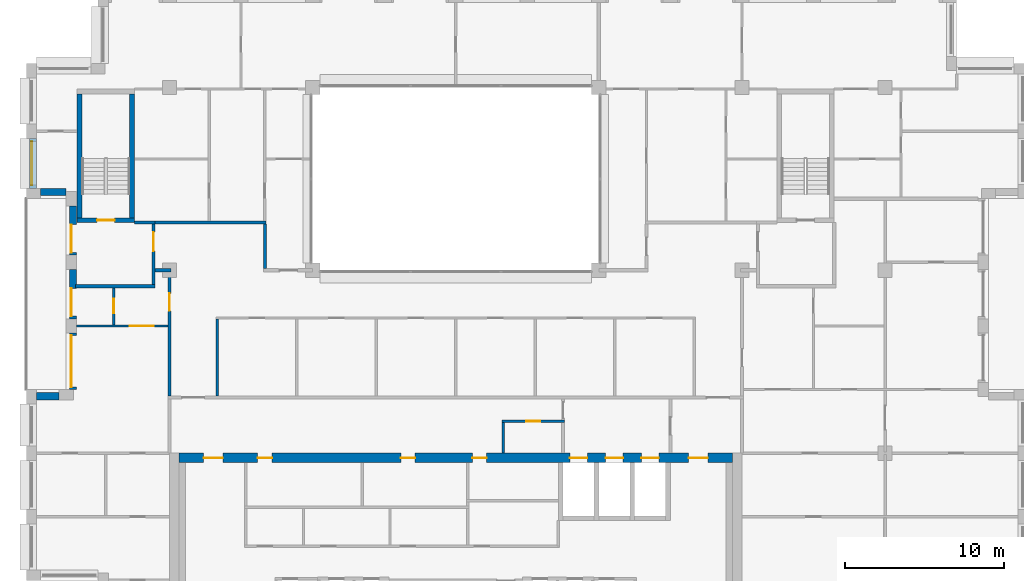
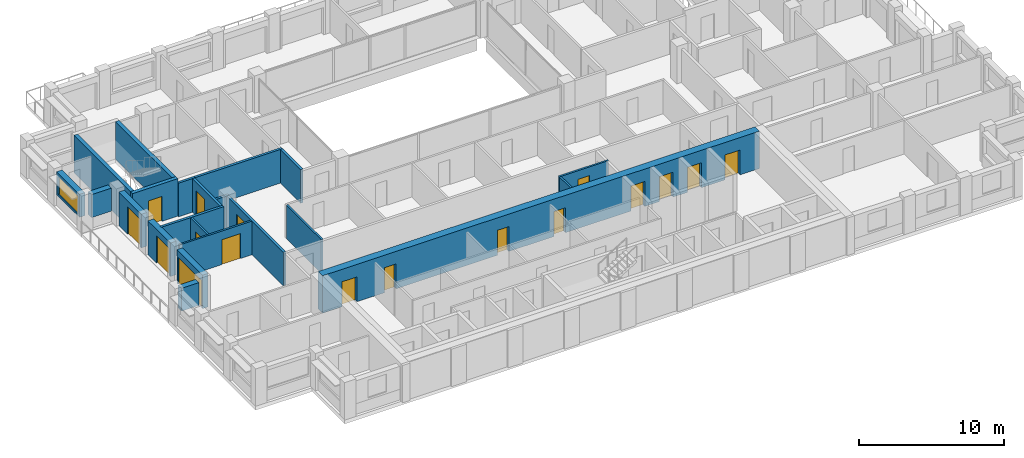
# One storey, part 9 of 15: 22 walls, 17 doors, 1 window, 18 openings.
"""IFC4 building model written with IfcOpenShell, lengths in metres."""

import ifcopenshell
import ifcopenshell.guid

model = None  # the IFC model being written
_history = None  # IfcOwnerHistory: only IFC2X3 demands one
_inside = {}  # id of a spatial element -> (the spatial element, [elements in it])
_under = {}  # id of a project, library or spatial element -> (it, [spatial elements below it])
_declared = {}  # id of a project -> (the project, [libraries it declares])
_typed = {}  # id of a type object -> (the type object, [elements of that type])
_made_of = {}  # id of a material, layer set ... -> (it, [elements and type objects made of it])


def new_model(schema):
    """Start an empty IFC model of exactly this schema.

    Asked for "IFC4X3", IfcOpenShell would pick the latest addendum, in which some entities
    have other attributes; the version numbers below select the first issue.
    IFC2X3 requires an IfcOwnerHistory on every rooted entity: one is made here for all.
    """
    global model, _history
    if schema == "IFC4X3":
        model = ifcopenshell.file(schema_version=(4, 3, 0, 0))
    else:
        model = ifcopenshell.file(schema=schema)
    _inside.clear()
    _under.clear()
    _declared.clear()
    _typed.clear()
    _made_of.clear()
    _history = None
    if model.schema == "IFC2X3":
        org = make("IfcOrganization", Name="unknown")
        user = make(
            "IfcPersonAndOrganization",
            ThePerson=make("IfcPerson", FamilyName="unknown"),
            TheOrganization=org,
        )
        app = make(
            "IfcApplication",
            ApplicationDeveloper=org,
            Version="unknown",
            ApplicationFullName="unknown",
            ApplicationIdentifier="unknown",
        )
        _history = make(
            "IfcOwnerHistory",
            OwningUser=user,
            OwningApplication=app,
            ChangeAction="ADDED",
            CreationDate=0,
        )
    return model


def make(cls, **values):
    """One entity of the class cls with the attributes given. An attribute that is None is left unset."""
    return model.create_entity(
        cls, **{name: value for name, value in values.items() if value is not None}
    )


def rooted(cls, **values):
    """An entity with a GlobalId (a new one), such as an element, a storey or a relation."""
    return make(cls, GlobalId=ifcopenshell.guid.new(), OwnerHistory=_history, **values)


def si_unit(unit_type, name, prefix=None):
    """IfcSIUnit, for example si_unit("LENGTHUNIT", "METRE", prefix="MILLI")."""
    return make("IfcSIUnit", UnitType=unit_type, Prefix=prefix, Name=name)


def assignment(units):
    """IfcUnitAssignment: the units of a project."""
    return None if units is None else make("IfcUnitAssignment", Units=units)


def point(xyz):
    """IfcCartesianPoint."""
    return None if xyz is None else make("IfcCartesianPoint", Coordinates=xyz)


def direction(xyz):
    """IfcDirection."""
    return None if xyz is None else make("IfcDirection", DirectionRatios=xyz)


def frame(location, z_axis=None, x_axis=None):
    """IfcAxis2Placement3D, a coordinate frame: its origin and axes. An axis left out is left unset."""
    return make(
        "IfcAxis2Placement3D",
        Location=point(location),
        Axis=direction(z_axis),
        RefDirection=direction(x_axis),
    )


def frame_2d(location, x_axis=None):
    """IfcAxis2Placement2D, a coordinate frame in the plane: its origin and x axis."""
    return make(
        "IfcAxis2Placement2D", Location=point(location), RefDirection=direction(x_axis)
    )


def origin():
    """The frame at (0, 0, 0) with its axes left unset."""
    return frame((0.0, 0.0, 0.0))


def place(relative_to, where):
    """IfcLocalPlacement: puts the frame where relative to a parent placement (None: the world)."""
    return make(
        "IfcLocalPlacement", PlacementRelTo=relative_to, RelativePlacement=where
    )


def context(
    kind, dimensions, precision=None, world=None, true_north=None, identifier=None
):
    """IfcGeometricRepresentationContext, for example the 3D "Model" context."""
    return make(
        "IfcGeometricRepresentationContext",
        ContextIdentifier=identifier,
        ContextType=kind,
        CoordinateSpaceDimension=dimensions,
        Precision=precision,
        WorldCoordinateSystem=world,
        TrueNorth=true_north,
    )


def subcontext(parent, identifier, kind, view, scale=None):
    """IfcGeometricRepresentationSubContext, for example "Body" below "Model"."""
    return make(
        "IfcGeometricRepresentationSubContext",
        ContextIdentifier=identifier,
        ContextType=kind,
        ParentContext=parent,
        TargetScale=scale,
        TargetView=view,
    )


def project(units=None, contexts=None):
    """IfcProject with its units and contexts."""
    return rooted(
        "IfcProject",
        Name="project",
        RepresentationContexts=contexts,
        UnitsInContext=assignment(units),
    )


def spatial(cls, under=None, at=None, **own):
    """A site, building, storey or space (cls), placed at a placement, below another one or the project."""
    s = rooted(cls, ObjectPlacement=at, **own)
    if under is not None:
        _under.setdefault(under.id(), (under, []))[1].append(s)
    return s


def profile(cls, at=None, kind="AREA", **sizes):
    """A parametric profile (cls). Its sizes go by their IFC names, for example OverallWidth=200.0."""
    return make(cls, ProfileType=kind, Position=at, **sizes)


def rectangle(**sizes):
    """IfcRectangleProfileDef."""
    return profile("IfcRectangleProfileDef", **sizes)


def extrude(swept, where, along, depth):
    """IfcExtrudedAreaSolid: the profile swept, set in the frame where, extruded along a direction by depth."""
    return make(
        "IfcExtrudedAreaSolid",
        SweptArea=swept,
        Position=where,
        ExtrudedDirection=direction(along),
        Depth=depth,
    )


def shape(context_of_items, identifier, shape_type, items):
    """IfcShapeRepresentation: the items that make up one representation, for example the "Body"."""
    return make(
        "IfcShapeRepresentation",
        ContextOfItems=context_of_items,
        RepresentationIdentifier=identifier,
        RepresentationType=shape_type,
        Items=items,
    )


def material(Name=None, Category=None):
    """IfcMaterial."""
    return make("IfcMaterial", Name=Name, Category=Category)


def layer(
    of_material, thickness, ventilated=None, Name=None, Category=None, Priority=None
):
    """IfcMaterialLayer: one layer of a wall or slab, of a material (None: an air gap)."""
    return make(
        "IfcMaterialLayer",
        Material=of_material,
        LayerThickness=thickness,
        IsVentilated=ventilated,
        Name=Name,
        Category=Category,
        Priority=Priority,
    )


def layer_set(layers, Name=None):
    """IfcMaterialLayerSet."""
    return make("IfcMaterialLayerSet", MaterialLayers=layers, LayerSetName=Name)


def made_of(thing, what):
    """Note that an element or type object is made of a material, layer set ...; save() writes the relation."""
    if what is not None:
        _made_of.setdefault(what.id(), (what, []))[1].append(thing)
    return thing


def type_object(cls, material=None, **own):
    """A type object (cls), such as IfcWallType, which elements share."""
    return made_of(rooted(cls, **own), material)


def element(
    cls,
    number,
    at=None,
    inside=None,
    cuts=None,
    type_object=None,
    material=None,
    context=None,
    identifier="Body",
    shape_type=None,
    held_by="IfcProductDefinitionShape",
    body=None,
    shapes=None,
    **own,
):
    """One element of the class cls, such as IfcWall. Its Tag is "e" and its number.

    at: its placement. inside: the storey or other place that contains it. cuts: it is an
    opening in that element (IfcRelVoidsElement). A single representation is given by context,
    identifier, shape_type and body (its items); several are given by shapes. held_by: the class
    of the entity that holds the representations. save() writes the other relations.
    """
    e = rooted(cls, Tag="e%d" % number, ObjectPlacement=at, **own)
    if body is not None:
        shapes = [shape(context, identifier, shape_type, body)]
    if shapes is not None:
        e.Representation = make(held_by, Representations=shapes)
    if inside is not None:
        _inside.setdefault(inside.id(), (inside, []))[1].append(e)
    if cuts is not None:
        rooted(
            "IfcRelVoidsElement", RelatingBuildingElement=cuts, RelatedOpeningElement=e
        )
    if type_object is not None:
        _typed.setdefault(type_object.id(), (type_object, []))[1].append(e)
    return made_of(e, material)


def fill(opening, filler):
    """IfcRelFillsElement: the door or window that sits in an opening."""
    return rooted(
        "IfcRelFillsElement",
        RelatingOpeningElement=opening,
        RelatedBuildingElement=filler,
    )


def aggregate(whole, parts):
    """IfcRelAggregates: a whole, such as a stair, and the parts it consists of."""
    return rooted("IfcRelAggregates", RelatingObject=whole, RelatedObjects=parts)


def save(model, path):
    """Write the relations noted so far, then the file.

    IfcRelAggregates (storeys below a building ...), IfcRelContainedInSpatialStructure (elements
    in a storey), IfcRelDefinesByType, IfcRelAssociatesMaterial and IfcRelDeclares: one each for
    every whole, place, type object, material and project.
    """
    for whole, parts in _under.values():
        aggregate(whole, parts)
    for where, things in _inside.values():
        rooted(
            "IfcRelContainedInSpatialStructure",
            RelatedElements=things,
            RelatingStructure=where,
        )
    for kind, things in _typed.values():
        rooted("IfcRelDefinesByType", RelatedObjects=things, RelatingType=kind)
    for what, things in _made_of.values():
        rooted("IfcRelAssociatesMaterial", RelatedObjects=things, RelatingMaterial=what)
    for by, libraries in _declared.values():
        rooted("IfcRelDeclares", RelatingContext=by, RelatedDefinitions=libraries)
    model.write(path)


model = new_model("IFC4")

# Units and contexts
model_context = context("Model", 3, precision=1e-05, world=origin(), true_north=direction((0.0, 1.0)))
body_context = subcontext(model_context, "Body", "Model", "MODEL_VIEW")
ifc_project = project(units=[si_unit("LENGTHUNIT", "METRE"), si_unit("AREAUNIT", "SQUARE_METRE"), si_unit("VOLUMEUNIT", "CUBIC_METRE"), si_unit("PLANEANGLEUNIT", "RADIAN"), si_unit("MASSUNIT", "GRAM", prefix="KILO")], contexts=[model_context])

# Site, building, storey
site_placement = place(None, origin())
site = spatial("IfcSite", under=ifc_project, at=site_placement, CompositionType="ELEMENT")
building_placement = place(site_placement, origin())
building = spatial("IfcBuilding", under=site, at=building_placement, Name="Brigalow Station Residences", CompositionType="ELEMENT")
storey_placement = place(building_placement, frame((0.0, 0.0, 213.75)))
storey = spatial("IfcBuildingStorey", under=building, at=storey_placement, Name="L61", CompositionType="ELEMENT", Elevation=213.75)

# Wall, opening, window
ifc_material_1 = material(Name="Clay brick masonry", Category="masonry")
ifc_layer_1 = layer(ifc_material_1, 0.449951171875)
ifc_layer_set_1 = layer_set([ifc_layer_1], Name="BRICK INFILL WALL 450")
wall_type_1 = type_object("IfcWallType", Name="BRICK INFILL WALL 450", PredefinedType="SOLIDWALL", material=ifc_layer_set_1)
wall_1_placement = place(storey_placement, frame((9.425048828125, 32.300048828125, 0.89990234375), z_axis=(0.0, 0.0, 1.0), x_axis=(0.0, -1.0, 0.0)))
wall_1 = element("IfcWall", 1, at=wall_1_placement, inside=storey, type_object=wall_type_1, Name="L61/ewall/W-L61-35", PredefinedType="SOLIDWALL", context=body_context, shape_type="SweptSolid", body=[
    extrude(rectangle(XDim=3.150146484375, YDim=0.449951171875, at=frame_2d((1.5751953125, 0.0))), origin(), (0.0, 0.0, 1.0), 1.93017578125),
])
opening_1_placement = place(wall_1_placement, frame((0.199951171875, 0.0, 0.14990234375)))
opening_1 = element("IfcOpeningElement", 2, at=opening_1_placement, cuts=wall_1, Name="Opening WT-3", PredefinedType="OPENING", context=body_context, shape_type="SweptSolid", body=[
    extrude(rectangle(XDim=2.75, YDim=1.5, at=frame_2d((1.375, 0.75))), frame((0.0, 0.23486328125, 0.0), z_axis=(0.0, -1.0, 0.0), x_axis=(1.0, 0.0, 0.0)), (0.0, 0.0, 1.0), 0.469970703125),
])
ifc_material_2 = material(Name="Anodised aluminium frame with double glazing", Category="aluminium")
window_type = type_object("IfcWindowType", Name="WINDOW 2750x1500", PartitioningType="SINGLE_PANEL", PredefinedType="WINDOW", material=ifc_material_2)
window_placement = place(opening_1_placement, origin())
window = element("IfcWindow", 3, at=window_placement, inside=storey, type_object=window_type, Name="L61/window/W-L61-35", OverallHeight=1.5, OverallWidth=2.75, PartitioningType="SINGLE_PANEL", PredefinedType="WINDOW", context=body_context, shape_type="SweptSolid", body=[
    extrude(rectangle(XDim=2.75, YDim=1.5, at=frame_2d((1.375, 0.75))), frame((0.0, -0.06494140625, 0.0), z_axis=(0.0, -1.0, 0.0), x_axis=(1.0, 0.0, 0.0)), (0.0, 0.0, 1.0), 0.06005859375),
])
fill(opening_1, window)

# Wall
wall_2_placement = place(storey_placement, frame((9.89990234375, 28.925048828125, 0.89990234375), z_axis=(0.0, 0.0, 1.0), x_axis=(1.0, 0.0, 0.0)))
element("IfcWall", 4, at=wall_2_placement, inside=storey, type_object=wall_type_1, Name="L61/ewall/W-L61-36", PredefinedType="SOLIDWALL", context=body_context, shape_type="SweptSolid", body=[
    extrude(rectangle(XDim=1.60009765625, YDim=0.449951171875, at=frame_2d((0.800048828125, 0.0))), origin(), (0.0, 0.0, 1.0), 1.93017578125),
])

# Wall, opening, door
wall_3_placement = place(storey_placement, frame((11.925048828125, 28.050048828125, 0.0), z_axis=(0.0, 0.0, 1.0), x_axis=(0.0, -1.0, 0.0)))
wall_3 = element("IfcWall", 5, at=wall_3_placement, inside=storey, type_object=wall_type_1, Name="L61/ewall/W-L61-37", PredefinedType="SOLIDWALL", context=body_context, shape_type="SweptSolid", body=[
    extrude(rectangle(XDim=3.10009765625, YDim=0.449951171875, at=frame_2d((1.550048828125, 0.0))), origin(), (0.0, 0.0, 1.0), 2.830078125),
])
opening_2_placement = place(wall_3_placement, frame((1.18505859375, 0.0, 0.0)))
opening_2 = element("IfcOpeningElement", 6, at=opening_2_placement, cuts=wall_3, Name="Opening D-B1750", PredefinedType="OPENING", context=body_context, shape_type="SweptSolid", body=[
    extrude(rectangle(XDim=1.75, YDim=2.300048828125, at=frame_2d((0.875, 1.14990234375))), frame((0.0, 0.23486328125, 0.0), z_axis=(0.0, -1.0, 0.0), x_axis=(1.0, 0.0, 0.0)), (0.0, 0.0, 1.0), 0.469970703125),
])
ifc_material_3 = material(Name="Anodised aluminium frame with double glazing", Category="aluminium")
door_type_1 = type_object("IfcDoorType", Name="BALCONY SLIDING DOOR 1750x2300", OperationType="SLIDING_TO_LEFT", PredefinedType="DOOR", material=ifc_material_3)
door_1_placement = place(opening_2_placement, frame((1.75, -0.18994140625, 0.0), z_axis=(0.0, 0.0, 1.0), x_axis=(-1.0, 0.0, 0.0)))
door_1 = element("IfcDoor", 7, at=door_1_placement, inside=storey, type_object=door_type_1, Name="L61/balcony-door/W-L61-37", OperationType="SLIDING_TO_LEFT", OverallHeight=2.300048828125, OverallWidth=1.75, PredefinedType="DOOR", context=body_context, shape_type="SweptSolid", body=[
    extrude(rectangle(XDim=1.75, YDim=2.300048828125, at=frame_2d((0.875, 1.14990234375))), frame((0.0, -0.06982421875, 0.0), z_axis=(0.0, -1.0, 0.0), x_axis=(1.0, 0.0, 0.0)), (0.0, 0.0, 1.0), 0.050048828125),
])
fill(opening_2, door_1)

wall_4_placement = place(storey_placement, frame((11.925048828125, 24.050048828125, 0.0), z_axis=(0.0, 0.0, 1.0), x_axis=(0.0, -1.0, 0.0)))
wall_4 = element("IfcWall", 8, at=wall_4_placement, inside=storey, type_object=wall_type_1, Name="L61/ewall/W-L61-38", PredefinedType="SOLIDWALL", context=body_context, shape_type="SweptSolid", body=[
    extrude(rectangle(XDim=3.10009765625, YDim=0.449951171875, at=frame_2d((1.550048828125, 0.0))), origin(), (0.0, 0.0, 1.0), 2.830078125),
])
opening_3_placement = place(wall_4_placement, frame((1.18505859375, 0.0, 0.0)))
opening_3 = element("IfcOpeningElement", 9, at=opening_3_placement, cuts=wall_4, Name="Opening D-B1750", PredefinedType="OPENING", context=body_context, shape_type="SweptSolid", body=[
    extrude(rectangle(XDim=1.75, YDim=2.300048828125, at=frame_2d((0.875, 1.14990234375))), frame((0.0, 0.23486328125, 0.0), z_axis=(0.0, -1.0, 0.0), x_axis=(1.0, 0.0, 0.0)), (0.0, 0.0, 1.0), 0.469970703125),
])
door_2_placement = place(opening_3_placement, origin())
door_2 = element("IfcDoor", 10, at=door_2_placement, inside=storey, type_object=door_type_1, Name="L61/balcony-door/W-L61-38", OperationType="SLIDING_TO_LEFT", OverallHeight=2.300048828125, OverallWidth=1.75, PredefinedType="DOOR", context=body_context, shape_type="SweptSolid", body=[
    extrude(rectangle(XDim=1.75, YDim=2.300048828125, at=frame_2d((0.875, 1.14990234375))), frame((0.0, -0.06982421875, 0.0), z_axis=(0.0, -1.0, 0.0), x_axis=(1.0, 0.0, 0.0)), (0.0, 0.0, 1.0), 0.050048828125),
])
fill(opening_3, door_2)

wall_5_placement = place(storey_placement, frame((11.925048828125, 20.050048828125, 0.0), z_axis=(0.0, 0.0, 1.0), x_axis=(0.0, -1.0, 0.0)))
wall_5 = element("IfcWall", 11, at=wall_5_placement, inside=storey, type_object=wall_type_1, Name="L61/ewall/W-L61-39", PredefinedType="SOLIDWALL", context=body_context, shape_type="SweptSolid", body=[
    extrude(rectangle(XDim=3.550048828125, YDim=0.449951171875, at=frame_2d((1.77490234375, 0.0))), origin(), (0.0, 0.0, 1.0), 2.830078125),
])
opening_4_placement = place(wall_5_placement, frame((0.14990234375, 0.0, 0.0)))
opening_4 = element("IfcOpeningElement", 12, at=opening_4_placement, cuts=wall_5, Name="Opening D-B3250", PredefinedType="OPENING", context=body_context, shape_type="SweptSolid", body=[
    extrude(rectangle(XDim=3.25, YDim=2.300048828125, at=frame_2d((1.625, 1.14990234375))), frame((0.0, 0.23486328125, 0.0), z_axis=(0.0, -1.0, 0.0), x_axis=(1.0, 0.0, 0.0)), (0.0, 0.0, 1.0), 0.469970703125),
])
ifc_material_4 = material(Name="Anodised aluminium frame with double glazing", Category="aluminium")
door_type_2 = type_object("IfcDoorType", Name="BALCONY SLIDING DOOR 3250x2300", OperationType="SLIDING_TO_LEFT", PredefinedType="DOOR", material=ifc_material_4)
door_3_placement = place(opening_4_placement, origin())
door_3 = element("IfcDoor", 13, at=door_3_placement, inside=storey, type_object=door_type_2, Name="L61/balcony-door/W-L61-39", OperationType="SLIDING_TO_LEFT", OverallHeight=2.300048828125, OverallWidth=3.25, PredefinedType="DOOR", context=body_context, shape_type="SweptSolid", body=[
    extrude(rectangle(XDim=3.25, YDim=2.300048828125, at=frame_2d((1.625, 1.14990234375))), frame((0.0, -0.06982421875, 0.0), z_axis=(0.0, -1.0, 0.0), x_axis=(1.0, 0.0, 0.0)), (0.0, 0.0, 1.0), 0.050048828125),
])
fill(opening_4, door_3)

# Wall
wall_6_placement = place(storey_placement, frame((11.050048828125, 16.074951171875, 0.89990234375), z_axis=(0.0, 0.0, 1.0), x_axis=(-1.0, 0.0, 0.0)))
element("IfcWall", 14, at=wall_6_placement, inside=storey, type_object=wall_type_1, Name="L61/ewall/W-L61-40", PredefinedType="SOLIDWALL", context=body_context, shape_type="SweptSolid", body=[
    extrude(rectangle(XDim=1.400146484375, YDim=0.449951171875, at=frame_2d((0.7001953125, 0.0))), origin(), (0.0, 0.0, 1.0), 1.93017578125),
])

# Wall, opening, door
ifc_material_5 = material(Name="Concrete C50", Category="concrete")
ifc_layer_2 = layer(ifc_material_5, 0.300048828125)
ifc_layer_set_2 = layer_set([ifc_layer_2], Name="CORE SHEAR WALL 300 C50")
wall_type_2 = type_object("IfcWallType", Name="CORE SHEAR WALL 300 C50", PredefinedType="SHEAR", material=ifc_layer_set_2)
wall_7_placement = place(storey_placement, frame((12.199951171875, 27.14990234375, 0.0), z_axis=(0.0, 0.0, 1.0), x_axis=(1.0, 0.0, 0.0)))
wall_7 = element("IfcWall", 15, at=wall_7_placement, inside=storey, type_object=wall_type_2, Name="CORE WALL ST-S1-S L61", PredefinedType="SHEAR", context=body_context, shape_type="SweptSolid", body=[
    extrude(rectangle(XDim=3.60009765625, YDim=0.300048828125, at=frame_2d((1.800048828125, 0.0))), origin(), (0.0, 0.0, 1.0), 3.14990234375),
])
opening_5_placement = place(wall_7_placement, frame((1.25, 0.0, 0.0)))
opening_5 = element("IfcOpeningElement", 16, at=opening_5_placement, cuts=wall_7, Name="Opening D-5015", PredefinedType="OPENING", context=body_context, shape_type="SweptSolid", body=[
    extrude(rectangle(XDim=1.10009765625, YDim=2.10009765625, at=frame_2d((0.550048828125, 1.050048828125))), frame((0.0, 0.16015625, 0.0), z_axis=(0.0, -1.0, 0.0), x_axis=(1.0, 0.0, 0.0)), (0.0, 0.0, 1.0), 0.320068359375),
])
ifc_material_6 = material(Name="Steel fire door leaf in steel frame", Category="steel")
door_type_3 = type_object("IfcDoorType", Name="STAIR DOOR 1100 x 2100 FD60S", OperationType="SINGLE_SWING_LEFT", PredefinedType="DOOR", material=ifc_material_6)
door_4_placement = place(opening_5_placement, origin())
door_4 = element("IfcDoor", 17, at=door_4_placement, inside=storey, type_object=door_type_3, Name="D-5015", OperationType="SINGLE_SWING_LEFT", OverallHeight=2.10009765625, OverallWidth=1.10009765625, PredefinedType="DOOR", context=body_context, shape_type="SweptSolid", body=[
    extrude(rectangle(XDim=1.10009765625, YDim=2.10009765625, at=frame_2d((0.550048828125, 1.050048828125))), frame((0.0, 0.02490234375, 0.0), z_axis=(0.0, -1.0, 0.0), x_axis=(1.0, 0.0, 0.0)), (0.0, 0.0, 1.0), 0.050048828125),
])
fill(opening_5, door_4)

# Walls
for number, where, z_axis, x_axis, name in (
    (18, (12.35009765625, 27.300048828125, 0.0), (0.0, 0.0, 1.0), (0.0, 1.0, 0.0), "CORE WALL ST-S1-W L61"),
    (19, (15.64990234375, 27.300048828125, 0.0), (0.0, 0.0, 1.0), (0.0, 1.0, 0.0), "CORE WALL ST-S1-E L61"),
):
    element("IfcWall", number, at=place(storey_placement, frame(where, z_axis=z_axis, x_axis=x_axis)), inside=storey, type_object=wall_type_2, Name=name, PredefinedType="SHEAR", context=body_context, shape_type="SweptSolid", body=[
        extrude(rectangle(XDim=7.800048828125, YDim=0.300048828125, at=frame_2d((3.89990234375, 0.0))), origin(), (0.0, 0.0, 1.0), 3.14990234375),
    ])

# Wall, openings, doors
ifc_material_7 = material(Name="Concrete C50", Category="concrete")
ifc_layer_3 = layer(ifc_material_7, 0.60009765625)
ifc_layer_set_3 = layer_set([ifc_layer_3], Name="CORE SHEAR WALL 600 C50")
wall_type_3 = type_object("IfcWallType", Name="CORE SHEAR WALL 600 C50", PredefinedType="SHEAR", material=ifc_layer_set_3)
wall_8_placement = place(storey_placement, frame((18.60009765625, 12.199951171875, 0.0), z_axis=(0.0, 0.0, 1.0), x_axis=(1.0, 0.0, 0.0)))
wall_8 = element("IfcWall", 20, at=wall_8_placement, inside=storey, type_object=wall_type_3, Name="CORE WALL OUT-N L61", PredefinedType="SHEAR", context=body_context, shape_type="SweptSolid", body=[
    extrude(rectangle(XDim=34.7998046875, YDim=0.60009765625, at=frame_2d((17.39990234375, 0.0))), origin(), (0.0, 0.0, 1.0), 3.14990234375),
])
opening_6_placement = place(wall_8_placement, frame((24.574951171875, 0.0, 0.0)))
opening_6 = element("IfcOpeningElement", 21, at=opening_6_placement, cuts=wall_8, Name="Opening LD-LF1", PredefinedType="OPENING", context=body_context, shape_type="SweptSolid", body=[
    extrude(rectangle(XDim=1.10009765625, YDim=2.10009765625, at=frame_2d((0.550048828125, 1.050048828125))), frame((0.0, 0.31005859375, 0.0), z_axis=(0.0, -1.0, 0.0), x_axis=(1.0, 0.0, 0.0)), (0.0, 0.0, 1.0), 0.6201171875),
])
opening_7_placement = place(wall_8_placement, frame((26.824951171875, 0.0, 0.0)))
opening_7 = element("IfcOpeningElement", 22, at=opening_7_placement, cuts=wall_8, Name="Opening LD-LF2", PredefinedType="OPENING", context=body_context, shape_type="SweptSolid", body=[
    extrude(rectangle(XDim=1.10009765625, YDim=2.10009765625, at=frame_2d((0.550048828125, 1.050048828125))), frame((0.0, 0.31005859375, 0.0), z_axis=(0.0, -1.0, 0.0), x_axis=(1.0, 0.0, 0.0)), (0.0, 0.0, 1.0), 0.6201171875),
])
opening_8_placement = place(wall_8_placement, frame((29.074951171875, 0.0, 0.0)))
opening_8 = element("IfcOpeningElement", 23, at=opening_8_placement, cuts=wall_8, Name="Opening LD-LG1", PredefinedType="OPENING", context=body_context, shape_type="SweptSolid", body=[
    extrude(rectangle(XDim=1.10009765625, YDim=2.10009765625, at=frame_2d((0.550048828125, 1.050048828125))), frame((0.0, 0.31005859375, 0.0), z_axis=(0.0, -1.0, 0.0), x_axis=(1.0, 0.0, 0.0)), (0.0, 0.0, 1.0), 0.6201171875),
])
opening_9_placement = place(wall_8_placement, frame((4.949951171875, 0.0, 0.0)))
opening_9 = element("IfcOpeningElement", 24, at=opening_9_placement, cuts=wall_8, Name="Opening D-5118", PredefinedType="OPENING", context=body_context, shape_type="SweptSolid", body=[
    extrude(rectangle(XDim=0.89990234375, YDim=2.10009765625, at=frame_2d((0.449951171875, 1.050048828125))), frame((0.0, 0.31005859375, 0.0), z_axis=(0.0, -1.0, 0.0), x_axis=(1.0, 0.0, 0.0)), (0.0, 0.0, 1.0), 0.6201171875),
])
opening_10_placement = place(wall_8_placement, frame((13.949951171875, 0.0, 0.0)))
opening_10 = element("IfcOpeningElement", 25, at=opening_10_placement, cuts=wall_8, Name="Opening D-5120", PredefinedType="OPENING", context=body_context, shape_type="SweptSolid", body=[
    extrude(rectangle(XDim=0.89990234375, YDim=2.10009765625, at=frame_2d((0.449951171875, 1.050048828125))), frame((0.0, 0.31005859375, 0.0), z_axis=(0.0, -1.0, 0.0), x_axis=(1.0, 0.0, 0.0)), (0.0, 0.0, 1.0), 0.6201171875),
])
opening_11_placement = place(wall_8_placement, frame((18.449951171875, 0.0, 0.0)))
opening_11 = element("IfcOpeningElement", 26, at=opening_11_placement, cuts=wall_8, Name="Opening D-5119", PredefinedType="OPENING", context=body_context, shape_type="SweptSolid", body=[
    extrude(rectangle(XDim=0.89990234375, YDim=2.10009765625, at=frame_2d((0.449951171875, 1.050048828125))), frame((0.0, 0.31005859375, 0.0), z_axis=(0.0, -1.0, 0.0), x_axis=(1.0, 0.0, 0.0)), (0.0, 0.0, 1.0), 0.6201171875),
])
opening_12_placement = place(wall_8_placement, frame((1.550048828125, 0.0, 0.0)))
opening_12 = element("IfcOpeningElement", 27, at=opening_12_placement, cuts=wall_8, Name="Opening D-5011", PredefinedType="OPENING", context=body_context, shape_type="SweptSolid", body=[
    extrude(rectangle(XDim=1.199951171875, YDim=2.10009765625, at=frame_2d((0.60009765625, 1.050048828125))), frame((0.0, 0.31005859375, 0.0), z_axis=(0.0, -1.0, 0.0), x_axis=(1.0, 0.0, 0.0)), (0.0, 0.0, 1.0), 0.6201171875),
])
opening_13_placement = place(wall_8_placement, frame((32.050048828125, 0.0, 0.0)))
opening_13 = element("IfcOpeningElement", 28, at=opening_13_placement, cuts=wall_8, Name="Opening D-5012", PredefinedType="OPENING", context=body_context, shape_type="SweptSolid", body=[
    extrude(rectangle(XDim=1.199951171875, YDim=2.10009765625, at=frame_2d((0.60009765625, 1.050048828125))), frame((0.0, 0.31005859375, 0.0), z_axis=(0.0, -1.0, 0.0), x_axis=(1.0, 0.0, 0.0)), (0.0, 0.0, 1.0), 0.6201171875),
])
ifc_material_8 = material(Name="Steel fire door leaf in steel frame", Category="steel")
door_type_4 = type_object("IfcDoorType", Name="CORE CORRIDOR DOOR 1200 x 2100 FD60S", OperationType="SINGLE_SWING_LEFT", PredefinedType="DOOR", material=ifc_material_8)
door_5_placement = place(opening_12_placement, frame((1.199951171875, 0.0, 0.0), z_axis=(0.0, 0.0, 1.0), x_axis=(-1.0, 0.0, 0.0)))
door_5 = element("IfcDoor", 29, at=door_5_placement, inside=storey, type_object=door_type_4, Name="D-5011", OperationType="SINGLE_SWING_LEFT", OverallHeight=2.10009765625, OverallWidth=1.199951171875, PredefinedType="DOOR", context=body_context, shape_type="SweptSolid", body=[
    extrude(rectangle(XDim=1.199951171875, YDim=2.10009765625, at=frame_2d((0.60009765625, 1.050048828125))), frame((0.0, 0.02490234375, 0.0), z_axis=(0.0, -1.0, 0.0), x_axis=(1.0, 0.0, 0.0)), (0.0, 0.0, 1.0), 0.050048828125),
])
fill(opening_12, door_5)
door_6_placement = place(opening_13_placement, frame((1.199951171875, 0.0, 0.0), z_axis=(0.0, 0.0, 1.0), x_axis=(-1.0, 0.0, 0.0)))
door_6 = element("IfcDoor", 30, at=door_6_placement, inside=storey, type_object=door_type_4, Name="D-5012", OperationType="SINGLE_SWING_RIGHT", OverallHeight=2.10009765625, OverallWidth=1.199951171875, PredefinedType="DOOR", context=body_context, shape_type="SweptSolid", body=[
    extrude(rectangle(XDim=1.199951171875, YDim=2.10009765625, at=frame_2d((0.60009765625, 1.050048828125))), frame((0.0, 0.02490234375, 0.0), z_axis=(0.0, -1.0, 0.0), x_axis=(1.0, 0.0, 0.0)), (0.0, 0.0, 1.0), 0.050048828125),
])
fill(opening_13, door_6)
ifc_material_9 = material(Name="Stainless steel sliding door leaves", Category="steel")
door_type_5 = type_object("IfcDoorType", Name="LIFT LANDING DOOR 1100 x 2100", OperationType="DOUBLE_DOOR_SLIDING", PredefinedType="DOOR", material=ifc_material_9)
door_7_placement = place(opening_6_placement, origin())
door_7 = element("IfcDoor", 31, at=door_7_placement, inside=storey, type_object=door_type_5, Name="LANDING DOOR LF1", OperationType="DOUBLE_DOOR_SLIDING", OverallHeight=2.10009765625, OverallWidth=1.10009765625, PredefinedType="DOOR", context=body_context, shape_type="SweptSolid", body=[
    extrude(rectangle(XDim=1.10009765625, YDim=2.10009765625, at=frame_2d((0.550048828125, 1.050048828125))), frame((0.0, 0.02490234375, 0.0), z_axis=(0.0, -1.0, 0.0), x_axis=(1.0, 0.0, 0.0)), (0.0, 0.0, 1.0), 0.050048828125),
])
fill(opening_6, door_7)
door_8_placement = place(opening_7_placement, origin())
door_8 = element("IfcDoor", 32, at=door_8_placement, inside=storey, type_object=door_type_5, Name="LANDING DOOR LF2", OperationType="DOUBLE_DOOR_SLIDING", OverallHeight=2.10009765625, OverallWidth=1.10009765625, PredefinedType="DOOR", context=body_context, shape_type="SweptSolid", body=[
    extrude(rectangle(XDim=1.10009765625, YDim=2.10009765625, at=frame_2d((0.550048828125, 1.050048828125))), frame((0.0, 0.02490234375, 0.0), z_axis=(0.0, -1.0, 0.0), x_axis=(1.0, 0.0, 0.0)), (0.0, 0.0, 1.0), 0.050048828125),
])
fill(opening_7, door_8)
door_9_placement = place(opening_8_placement, origin())
door_9 = element("IfcDoor", 33, at=door_9_placement, inside=storey, type_object=door_type_5, Name="LANDING DOOR LG1", OperationType="DOUBLE_DOOR_SLIDING", OverallHeight=2.10009765625, OverallWidth=1.10009765625, PredefinedType="DOOR", context=body_context, shape_type="SweptSolid", body=[
    extrude(rectangle(XDim=1.10009765625, YDim=2.10009765625, at=frame_2d((0.550048828125, 1.050048828125))), frame((0.0, 0.02490234375, 0.0), z_axis=(0.0, -1.0, 0.0), x_axis=(1.0, 0.0, 0.0)), (0.0, 0.0, 1.0), 0.050048828125),
])
fill(opening_8, door_9)
ifc_material_10 = material(Name="Steel door leaf in steel frame", Category="steel")
door_type_6 = type_object("IfcDoorType", Name="SERVICE ROOM DOOR 900 x 2100 FD60", OperationType="SINGLE_SWING_LEFT", PredefinedType="DOOR", material=ifc_material_10)
door_10_placement = place(opening_9_placement, frame((0.89990234375, 0.0, 0.0), z_axis=(0.0, 0.0, 1.0), x_axis=(-1.0, 0.0, 0.0)))
door_10 = element("IfcDoor", 34, at=door_10_placement, inside=storey, type_object=door_type_6, Name="D-5118", OperationType="SINGLE_SWING_RIGHT", OverallHeight=2.10009765625, OverallWidth=0.89990234375, PredefinedType="DOOR", context=body_context, shape_type="SweptSolid", body=[
    extrude(rectangle(XDim=0.89990234375, YDim=2.10009765625, at=frame_2d((0.449951171875, 1.050048828125))), frame((0.0, 0.02490234375, 0.0), z_axis=(0.0, -1.0, 0.0), x_axis=(1.0, 0.0, 0.0)), (0.0, 0.0, 1.0), 0.050048828125),
])
fill(opening_9, door_10)
door_11_placement = place(opening_10_placement, frame((0.89990234375, 0.0, 0.0), z_axis=(0.0, 0.0, 1.0), x_axis=(-1.0, 0.0, 0.0)))
door_11 = element("IfcDoor", 35, at=door_11_placement, inside=storey, type_object=door_type_6, Name="D-5120", OperationType="SINGLE_SWING_RIGHT", OverallHeight=2.10009765625, OverallWidth=0.89990234375, PredefinedType="DOOR", context=body_context, shape_type="SweptSolid", body=[
    extrude(rectangle(XDim=0.89990234375, YDim=2.10009765625, at=frame_2d((0.449951171875, 1.050048828125))), frame((0.0, 0.02490234375, 0.0), z_axis=(0.0, -1.0, 0.0), x_axis=(1.0, 0.0, 0.0)), (0.0, 0.0, 1.0), 0.050048828125),
])
fill(opening_10, door_11)
door_12_placement = place(opening_11_placement, frame((0.89990234375, 0.0, 0.0), z_axis=(0.0, 0.0, 1.0), x_axis=(-1.0, 0.0, 0.0)))
door_12 = element("IfcDoor", 36, at=door_12_placement, inside=storey, type_object=door_type_6, Name="D-5119", OperationType="SINGLE_SWING_RIGHT", OverallHeight=2.10009765625, OverallWidth=0.89990234375, PredefinedType="DOOR", context=body_context, shape_type="SweptSolid", body=[
    extrude(rectangle(XDim=0.89990234375, YDim=2.10009765625, at=frame_2d((0.449951171875, 1.050048828125))), frame((0.0, 0.02490234375, 0.0), z_axis=(0.0, -1.0, 0.0), x_axis=(1.0, 0.0, 0.0)), (0.0, 0.0, 1.0), 0.050048828125),
])
fill(opening_11, door_12)

# Walls
ifc_material_11 = material(Name="Concrete blockwork", Category="masonry")
ifc_layer_4 = layer(ifc_material_11, 0.199951171875)
ifc_layer_set_4 = layer_set([ifc_layer_4], Name="FIRE RATED CORE PARTITION 200")
wall_type_4 = type_object("IfcWallType", Name="FIRE RATED CORE PARTITION 200", PredefinedType="PARTITIONING", material=ifc_layer_set_4)
wall_9_placement = place(storey_placement, frame((12.10009765625, 23.0, 0.0), z_axis=(0.0, 0.0, 1.0), x_axis=(1.0, 0.0, 0.0)))
element("IfcWall", 37, at=wall_9_placement, inside=storey, type_object=wall_type_4, Name="PW-5023", PredefinedType="PARTITIONING", context=body_context, shape_type="SweptSolid", body=[
    extrude(rectangle(XDim=5.0, YDim=0.199951171875, at=frame_2d((2.5, 0.0))), origin(), (0.0, 0.0, 1.0), 2.830078125),
])
wall_10_placement = place(storey_placement, frame((15.800048828125, 27.0, 0.0), z_axis=(0.0, 0.0, 1.0), x_axis=(1.0, 0.0, 0.0)))
element("IfcWall", 38, at=wall_10_placement, inside=storey, type_object=wall_type_4, Name="PW-5025", PredefinedType="PARTITIONING", context=body_context, shape_type="SweptSolid", body=[
    extrude(rectangle(XDim=1.300048828125, YDim=0.199951171875, at=frame_2d((0.64990234375, 0.0))), origin(), (0.0, 0.0, 1.0), 2.830078125),
])

# Wall, opening, door
wall_11_placement = place(storey_placement, frame((17.0, 23.10009765625, 0.0), z_axis=(0.0, 0.0, 1.0), x_axis=(0.0, 1.0, 0.0)))
wall_11 = element("IfcWall", 39, at=wall_11_placement, inside=storey, type_object=wall_type_4, Name="PW-5035", PredefinedType="PARTITIONING", context=body_context, shape_type="SweptSolid", body=[
    extrude(rectangle(XDim=3.7998046875, YDim=0.199951171875, at=frame_2d((1.89990234375, 0.0))), origin(), (0.0, 0.0, 1.0), 2.830078125),
])
opening_14_placement = place(wall_11_placement, frame((2.10009765625, 0.0, 0.0)))
opening_14 = element("IfcOpeningElement", 40, at=opening_14_placement, cuts=wall_11, Name="Opening D-5016", PredefinedType="OPENING", context=body_context, shape_type="SweptSolid", body=[
    extrude(rectangle(XDim=1.199951171875, YDim=2.10009765625, at=frame_2d((0.60009765625, 1.050048828125))), frame((0.0, 0.10986328125, 0.0), z_axis=(0.0, -1.0, 0.0), x_axis=(1.0, 0.0, 0.0)), (0.0, 0.0, 1.0), 0.219970703125),
])
ifc_material_12 = material(Name="Steel fire door leaf in steel frame", Category="steel")
door_type_7 = type_object("IfcDoorType", Name="STAIR LOBBY DOOR 1200 x 2100 FD60S", OperationType="SINGLE_SWING_LEFT", PredefinedType="DOOR", material=ifc_material_12)
door_13_placement = place(opening_14_placement, origin())
door_13 = element("IfcDoor", 41, at=door_13_placement, inside=storey, type_object=door_type_7, Name="D-5016", OperationType="SINGLE_SWING_RIGHT", OverallHeight=2.10009765625, OverallWidth=1.199951171875, PredefinedType="DOOR", context=body_context, shape_type="SweptSolid", body=[
    extrude(rectangle(XDim=1.199951171875, YDim=2.10009765625, at=frame_2d((0.60009765625, 1.050048828125))), frame((0.0, 0.02490234375, 0.0), z_axis=(0.0, -1.0, 0.0), x_axis=(1.0, 0.0, 0.0)), (0.0, 0.0, 1.0), 0.050048828125),
])
fill(opening_14, door_13)

ifc_material_13 = material(Name="Plasterboard on steel stud partition", Category="steel")
ifc_layer_5 = layer(ifc_material_13, 0.14990234375)
ifc_layer_set_5 = layer_set([ifc_layer_5], Name="FLAT PARTITION 150")
wall_type_5 = type_object("IfcWallType", Name="FLAT PARTITION 150", PredefinedType="PARTITIONING", material=ifc_layer_set_5)
wall_12_placement = place(storey_placement, frame((12.14990234375, 20.5, 0.0), z_axis=(0.0, 0.0, 1.0), x_axis=(1.0, 0.0, 0.0)))
wall_12 = element("IfcWall", 42, at=wall_12_placement, inside=storey, type_object=wall_type_5, Name="PW-4B08", PredefinedType="PARTITIONING", context=body_context, shape_type="SweptSolid", body=[
    extrude(rectangle(XDim=5.75, YDim=0.14990234375, at=frame_2d((2.875, 0.0))), origin(), (0.0, 0.0, 1.0), 2.830078125),
])
opening_15_placement = place(wall_12_placement, frame((3.35009765625, 0.0, 0.0)))
opening_15 = element("IfcOpeningElement", 43, at=opening_15_placement, cuts=wall_12, Name="Opening D-4B05", PredefinedType="OPENING", context=body_context, shape_type="SweptSolid", body=[
    extrude(rectangle(XDim=1.5, YDim=2.10009765625, at=frame_2d((0.75, 1.050048828125))), frame((0.0, 0.0849609375, 0.0), z_axis=(0.0, -1.0, 0.0), x_axis=(1.0, 0.0, 0.0)), (0.0, 0.0, 1.0), 0.169921875),
])
ifc_material_14 = material(Name="Solid-core timber door leaf", Category="wood")
door_type_8 = type_object("IfcDoorType", Name="INTERNAL DOUBLE DOOR 1500 x 2100", OperationType="DOUBLE_DOOR_SINGLE_SWING", PredefinedType="DOOR", material=ifc_material_14)
door_14_placement = place(opening_15_placement, origin())
door_14 = element("IfcDoor", 44, at=door_14_placement, inside=storey, type_object=door_type_8, Name="D-4B05", OperationType="DOUBLE_DOOR_SINGLE_SWING", OverallHeight=2.10009765625, OverallWidth=1.5, PredefinedType="DOOR", context=body_context, shape_type="SweptSolid", body=[
    extrude(rectangle(XDim=1.5, YDim=2.10009765625, at=frame_2d((0.75, 1.050048828125))), frame((0.0, 0.02490234375, 0.0), z_axis=(0.0, -1.0, 0.0), x_axis=(1.0, 0.0, 0.0)), (0.0, 0.0, 1.0), 0.050048828125),
])
fill(opening_15, door_14)

# Wall
wall_13_placement = place(storey_placement, frame((21.0, 16.10009765625, 0.0), z_axis=(0.0, 0.0, 1.0), x_axis=(0.0, 1.0, 0.0)))
element("IfcWall", 45, at=wall_13_placement, inside=storey, type_object=wall_type_5, Name="PW-4B31", PredefinedType="PARTITIONING", context=body_context, shape_type="SweptSolid", body=[
    extrude(rectangle(XDim=4.824951171875, YDim=0.14990234375, at=frame_2d((2.41259765625, 0.0))), origin(), (0.0, 0.0, 1.0), 2.830078125),
])

# Wall, opening, door
wall_14_placement = place(storey_placement, frame((14.5, 20.574951171875, 0.0), z_axis=(0.0, 0.0, 1.0), x_axis=(0.0, 1.0, 0.0)))
wall_14 = element("IfcWall", 46, at=wall_14_placement, inside=storey, type_object=wall_type_5, Name="PW-4B37", PredefinedType="PARTITIONING", context=body_context, shape_type="SweptSolid", body=[
    extrude(rectangle(XDim=2.324951171875, YDim=0.14990234375, at=frame_2d((1.16259765625, 0.0))), origin(), (0.0, 0.0, 1.0), 2.830078125),
])
opening_16_placement = place(wall_14_placement, frame((0.72509765625, 0.0, 0.0)))
opening_16 = element("IfcOpeningElement", 47, at=opening_16_placement, cuts=wall_14, Name="Opening D-4B04", PredefinedType="OPENING", context=body_context, shape_type="SweptSolid", body=[
    extrude(rectangle(XDim=0.89990234375, YDim=2.10009765625, at=frame_2d((0.449951171875, 1.050048828125))), frame((0.0, 0.0849609375, 0.0), z_axis=(0.0, -1.0, 0.0), x_axis=(1.0, 0.0, 0.0)), (0.0, 0.0, 1.0), 0.169921875),
])
ifc_material_15 = material(Name="Solid-core timber door leaf", Category="wood")
door_type_9 = type_object("IfcDoorType", Name="INTERNAL DOOR 900 x 2100", OperationType="SINGLE_SWING_LEFT", PredefinedType="DOOR", material=ifc_material_15)
door_15_placement = place(opening_16_placement, origin())
door_15 = element("IfcDoor", 48, at=door_15_placement, inside=storey, type_object=door_type_9, Name="D-4B04", OperationType="SINGLE_SWING_RIGHT", OverallHeight=2.10009765625, OverallWidth=0.89990234375, PredefinedType="DOOR", context=body_context, shape_type="SweptSolid", body=[
    extrude(rectangle(XDim=0.89990234375, YDim=2.10009765625, at=frame_2d((0.449951171875, 1.050048828125))), frame((0.0, 0.02490234375, 0.0), z_axis=(0.0, -1.0, 0.0), x_axis=(1.0, 0.0, 0.0)), (0.0, 0.0, 1.0), 0.050048828125),
])
fill(opening_16, door_15)

# Walls
ifc_material_16 = material(Name="Plasterboard on steel stud partition", Category="steel")
ifc_layer_6 = layer(ifc_material_16, 0.199951171875)
ifc_layer_set_6 = layer_set([ifc_layer_6], Name="PARTY AND CORRIDOR WALL 200")
wall_type_6 = type_object("IfcWallType", Name="PARTY AND CORRIDOR WALL 200", PredefinedType="PARTITIONING", material=ifc_layer_set_6)
wall_15_placement = place(storey_placement, frame((17.10009765625, 24.0, 0.0), z_axis=(0.0, 0.0, 1.0), x_axis=(1.0, 0.0, 0.0)))
element("IfcWall", 49, at=wall_15_placement, inside=storey, type_object=wall_type_6, Name="PW-4B01", PredefinedType="PARTITIONING", context=body_context, shape_type="SweptSolid", body=[
    extrude(rectangle(XDim=1.0, YDim=0.199951171875, at=frame_2d((0.5, 0.0))), origin(), (0.0, 0.0, 1.0), 2.830078125),
])
wall_16_placement = place(storey_placement, frame((17.10009765625, 27.0, 0.0), z_axis=(0.0, 0.0, 1.0), x_axis=(1.0, 0.0, 0.0)))
element("IfcWall", 50, at=wall_16_placement, inside=storey, type_object=wall_type_6, Name="PW-4B06", PredefinedType="PARTITIONING", context=body_context, shape_type="SweptSolid", body=[
    extrude(rectangle(XDim=6.974853515625, YDim=0.199951171875, at=frame_2d((3.4873046875, 0.0))), origin(), (0.0, 0.0, 1.0), 2.830078125),
])

# Wall, opening, door
wall_17_placement = place(storey_placement, frame((18.0, 16.10009765625, 0.0), z_axis=(0.0, 0.0, 1.0), x_axis=(0.0, 1.0, 0.0)))
wall_17 = element("IfcWall", 51, at=wall_17_placement, inside=storey, type_object=wall_type_6, Name="PW-4B28", PredefinedType="PARTITIONING", context=body_context, shape_type="SweptSolid", body=[
    extrude(rectangle(XDim=7.7998046875, YDim=0.199951171875, at=frame_2d((3.89990234375, 0.0))), origin(), (0.0, 0.0, 1.0), 2.830078125),
])
opening_17_placement = place(wall_17_placement, frame((5.35009765625, 0.0, 0.0)))
opening_17 = element("IfcOpeningElement", 52, at=opening_17_placement, cuts=wall_17, Name="Opening D-4B03", PredefinedType="OPENING", context=body_context, shape_type="SweptSolid", body=[
    extrude(rectangle(XDim=1.10009765625, YDim=2.10009765625, at=frame_2d((0.550048828125, 1.050048828125))), frame((0.0, 0.10986328125, 0.0), z_axis=(0.0, -1.0, 0.0), x_axis=(1.0, 0.0, 0.0)), (0.0, 0.0, 1.0), 0.219970703125),
])
ifc_material_17 = material(Name="Solid-core timber door leaf", Category="wood")
door_type_10 = type_object("IfcDoorType", Name="FLAT ENTRANCE DOOR 1100 x 2100 FRL -/60/30", OperationType="SINGLE_SWING_LEFT", PredefinedType="DOOR", material=ifc_material_17)
door_16_placement = place(opening_17_placement, origin())
door_16 = element("IfcDoor", 53, at=door_16_placement, inside=storey, type_object=door_type_10, Name="D-4B03", OperationType="SINGLE_SWING_LEFT", OverallHeight=2.10009765625, OverallWidth=1.10009765625, PredefinedType="DOOR", context=body_context, shape_type="SweptSolid", body=[
    extrude(rectangle(XDim=1.10009765625, YDim=2.10009765625, at=frame_2d((0.550048828125, 1.050048828125))), frame((0.0, 0.02490234375, 0.0), z_axis=(0.0, -1.0, 0.0), x_axis=(1.0, 0.0, 0.0)), (0.0, 0.0, 1.0), 0.050048828125),
])
fill(opening_17, door_16)

# Wall
wall_18_placement = place(storey_placement, frame((24.0, 24.10009765625, 0.0), z_axis=(0.0, 0.0, 1.0), x_axis=(0.0, 1.0, 0.0)))
element("IfcWall", 54, at=wall_18_placement, inside=storey, type_object=wall_type_6, Name="PW-4B34", PredefinedType="PARTITIONING", context=body_context, shape_type="SweptSolid", body=[
    extrude(rectangle(XDim=2.7998046875, YDim=0.199951171875, at=frame_2d((1.39990234375, 0.0))), origin(), (0.0, 0.0, 1.0), 2.830078125),
])

# Wall, opening, door
ifc_material_18 = material(Name="Plasterboard on steel studs", Category="steel")
ifc_layer_7 = layer(ifc_material_18, 0.14990234375)
ifc_layer_set_7 = layer_set([ifc_layer_7], Name="SERVICE ROOM PARTITION 150")
wall_type_7 = type_object("IfcWallType", Name="SERVICE ROOM PARTITION 150", PredefinedType="PARTITIONING", material=ifc_layer_set_7)
wall_19_placement = place(storey_placement, frame((38.925048828125, 14.5, 0.0), z_axis=(0.0, 0.0, 1.0), x_axis=(1.0, 0.0, 0.0)))
wall_19 = element("IfcWall", 55, at=wall_19_placement, inside=storey, type_object=wall_type_7, Name="PW-5129", PredefinedType="PARTITIONING", context=body_context, shape_type="SweptSolid", body=[
    extrude(rectangle(XDim=3.925048828125, YDim=0.14990234375, at=frame_2d((1.96240234375, 0.0))), origin(), (0.0, 0.0, 1.0), 2.830078125),
])
opening_18_placement = place(wall_19_placement, frame((1.5, 0.0, 0.0)))
opening_18 = element("IfcOpeningElement", 56, at=opening_18_placement, cuts=wall_19, Name="Opening D-5076", PredefinedType="OPENING", context=body_context, shape_type="SweptSolid", body=[
    extrude(rectangle(XDim=0.89990234375, YDim=2.10009765625, at=frame_2d((0.449951171875, 1.050048828125))), frame((0.0, 0.0849609375, 0.0), z_axis=(0.0, -1.0, 0.0), x_axis=(1.0, 0.0, 0.0)), (0.0, 0.0, 1.0), 0.169921875),
])
door_17_placement = place(opening_18_placement, frame((0.89990234375, 0.0, 0.0), z_axis=(0.0, 0.0, 1.0), x_axis=(-1.0, 0.0, 0.0)))
door_17 = element("IfcDoor", 57, at=door_17_placement, inside=storey, type_object=door_type_6, Name="D-5076", OperationType="SINGLE_SWING_LEFT", OverallHeight=2.10009765625, OverallWidth=0.89990234375, PredefinedType="DOOR", context=body_context, shape_type="SweptSolid", body=[
    extrude(rectangle(XDim=0.89990234375, YDim=2.10009765625, at=frame_2d((0.449951171875, 1.050048828125))), frame((0.0, 0.02490234375, 0.0), z_axis=(0.0, -1.0, 0.0), x_axis=(1.0, 0.0, 0.0)), (0.0, 0.0, 1.0), 0.050048828125),
])
fill(opening_18, door_17)

# Wall
wall_20_placement = place(storey_placement, frame((39.0, 12.5, 0.0), z_axis=(0.0, 0.0, 1.0), x_axis=(0.0, 1.0, 0.0)))
element("IfcWall", 58, at=wall_20_placement, inside=storey, type_object=wall_type_7, Name="PW-5136", PredefinedType="PARTITIONING", context=body_context, shape_type="SweptSolid", body=[
    extrude(rectangle(XDim=1.925048828125, YDim=0.14990234375, at=frame_2d((0.96240234375, 0.0))), origin(), (0.0, 0.0, 1.0), 2.830078125),
])

save(model, "model.ifc")
